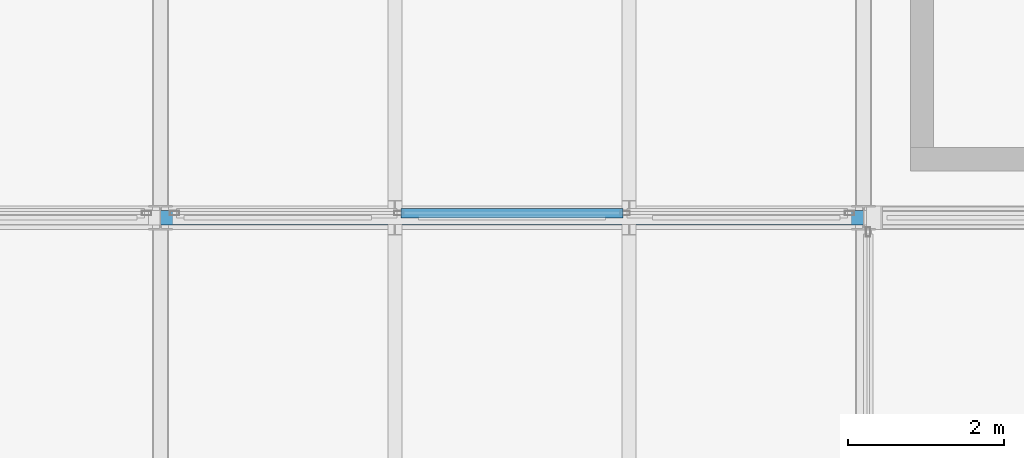
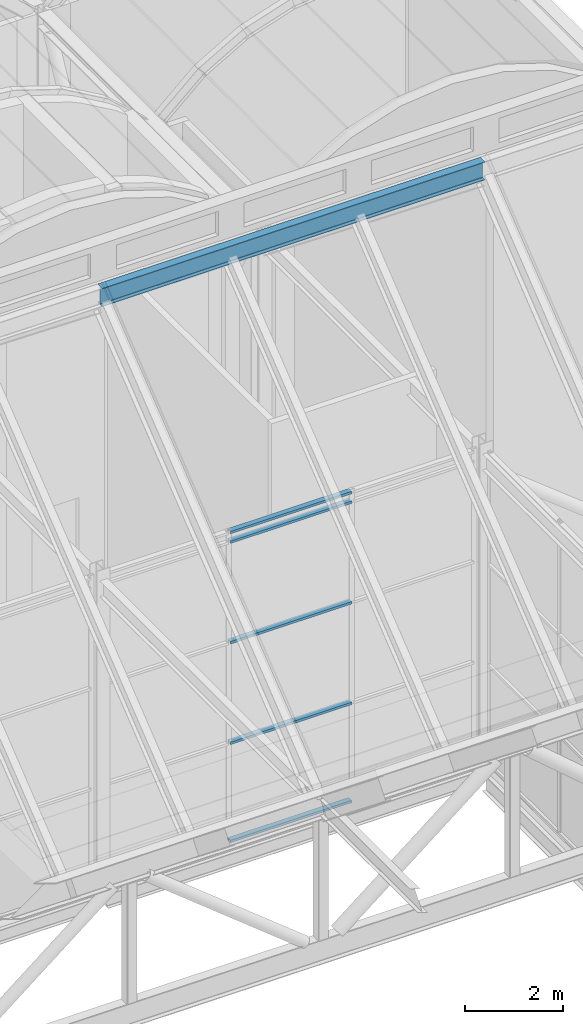
# One storey, part 89 of 144: 5 members, 1 beam, 1 element without a shape of its own.
"""IFC4 building model written with IfcOpenShell, lengths in metres."""

from ifc_helpers import new_model, si_unit, direction, frame, origin, origin_2d, place, context, subcontext, project, spatial, hollow_rectangle, i_section, extrude, material, layer, layer_set, material_profile, profile_set, type_object, element, aggregate, save


model = new_model("IFC4")

# Units and contexts
model_context = context("Model", 3, precision=1e-05, world=origin(), true_north=direction((0.0, 1.0)))
body_context = subcontext(model_context, "Body", "Model", "MODEL_VIEW")
ifc_project = project(units=[si_unit("LENGTHUNIT", "METRE"), si_unit("AREAUNIT", "SQUARE_METRE"), si_unit("VOLUMEUNIT", "CUBIC_METRE"), si_unit("PLANEANGLEUNIT", "RADIAN"), si_unit("MASSUNIT", "GRAM", prefix="KILO")], contexts=[model_context])

# Site, building, storey
site_placement = place(None, origin())
site = spatial("IfcSite", under=ifc_project, at=site_placement, CompositionType="ELEMENT")
building_placement = place(site_placement, origin())
building = spatial("IfcBuilding", under=site, at=building_placement, Name="Shorebreak Coast Museum", CompositionType="ELEMENT")
storey_placement = place(building_placement, frame((0.0, 0.0, 36.0)))
storey = spatial("IfcBuildingStorey", under=building, at=storey_placement, Name="L06", CompositionType="ELEMENT", Elevation=36.0)

# Beam
ifc_material_1 = material(Name="Steel Grade 300", Category="steel")
ifc_material_profile_1 = material_profile(ifc_material_1, i_section(OverallWidth=0.18994140625, OverallDepth=0.453857421875, WebThickness=0.008544921875, FlangeThickness=0.0126953125, FilletRadius=0.011474609375, at=origin_2d()), Name="460UB67.1")
ifc_profile_set_1 = profile_set([ifc_material_profile_1], Name="Steel Grade 300")
beam_type = type_object("IfcBeamType", Name="Fold ridge beam 460UB67.1", PredefinedType="BEAM", material=ifc_profile_set_1)
beam_placement = place(storey_placement, frame((99.0, 81.0, 14.717041015625), z_axis=(1.0, 0.0, 0.0), x_axis=(0.0, 1.0, 0.0)))
element("IfcBeam", 1, at=beam_placement, inside=storey, type_object=beam_type, Name="Fold ridge beam FOLD-X line K bay 12K", PredefinedType="BEAM", context=body_context, shape_type="SweptSolid", body=[
    extrude(i_section(OverallWidth=0.18994140625, OverallDepth=0.453857421875, WebThickness=0.008544921875, FlangeThickness=0.0126953125, FilletRadius=0.011474609375, at=origin_2d()), origin(), (0.0, 0.0, 1.0), 9.0),
])

# Curtain wall, members
ifc_material_2 = material(Name="Aluminium", Category="aluminium")
ifc_layer = layer(ifc_material_2, 0.1201171875)
ifc_layer_set = layer_set([ifc_layer], Name="Aluminium")
curtain_wall_type = type_object("IfcCurtainWallType", Name="Atrium fire screen", PredefinedType="NOTDEFINED", material=ifc_layer_set)
curtain_wall_placement = place(storey_placement, origin())
curtain_wall = element("IfcCurtainWall", 2, at=curtain_wall_placement, inside=storey, type_object=curtain_wall_type, Name="Atrium screen L06 N 88", PredefinedType="NOTDEFINED")
ifc_material_3 = material(Name="Aluminium", Category="aluminium")
ifc_material_profile_2 = material_profile(ifc_material_3, hollow_rectangle(XDim=0.1201171875, YDim=0.06005859375, WallThickness=0.00341796875, at=origin_2d()), Name="AL 60x120 RHS")
ifc_profile_set_2 = profile_set([ifc_material_profile_2], Name="Aluminium")
member_type = type_object("IfcMemberType", Name="Screen transom 120 x 50", PredefinedType="USERDEFINED", material=ifc_profile_set_2)
member_1_placement = place(storey_placement, frame((102.076171875, 81.06005859375, 0.06005859375), z_axis=(1.0, 0.0, 0.0), x_axis=(0.0, 1.0, 0.0)))
member_1 = element("IfcMember", 3, at=member_1_placement, type_object=member_type, Name="CW5 transom 2.1", ObjectType="TRANSOM", PredefinedType="USERDEFINED", context=body_context, shape_type="SweptSolid", body=[
    extrude(hollow_rectangle(XDim=0.1201171875, YDim=0.06005859375, WallThickness=0.00341796875, at=origin_2d()), origin(), (0.0, 0.0, 1.0), 2.84765625),
])
member_2_placement = place(storey_placement, frame((102.076171875, 81.06005859375, 2.5), z_axis=(1.0, 0.0, 0.0), x_axis=(0.0, 1.0, 0.0)))
member_2 = element("IfcMember", 4, at=member_2_placement, type_object=member_type, Name="CW5 transom 2.2", ObjectType="TRANSOM", PredefinedType="USERDEFINED", context=body_context, shape_type="SweptSolid", body=[
    extrude(hollow_rectangle(XDim=0.1201171875, YDim=0.06005859375, WallThickness=0.00341796875, at=origin_2d()), origin(), (0.0, 0.0, 1.0), 2.84765625),
])
member_3_placement = place(storey_placement, frame((102.076171875, 81.06005859375, 5.0), z_axis=(1.0, 0.0, 0.0), x_axis=(0.0, 1.0, 0.0)))
member_3 = element("IfcMember", 5, at=member_3_placement, type_object=member_type, Name="CW5 transom 2.3", ObjectType="TRANSOM", PredefinedType="USERDEFINED", context=body_context, shape_type="SweptSolid", body=[
    extrude(hollow_rectangle(XDim=0.1201171875, YDim=0.06005859375, WallThickness=0.00341796875, at=origin_2d()), origin(), (0.0, 0.0, 1.0), 2.84765625),
])
member_4_placement = place(storey_placement, frame((102.076171875, 81.06005859375, 7.5), z_axis=(1.0, 0.0, 0.0), x_axis=(0.0, 1.0, 0.0)))
member_4 = element("IfcMember", 6, at=member_4_placement, type_object=member_type, Name="CW5 transom 2.4", ObjectType="TRANSOM", PredefinedType="USERDEFINED", context=body_context, shape_type="SweptSolid", body=[
    extrude(hollow_rectangle(XDim=0.1201171875, YDim=0.06005859375, WallThickness=0.00341796875, at=origin_2d()), origin(), (0.0, 0.0, 1.0), 2.84765625),
])
member_5_placement = place(storey_placement, frame((102.076171875, 81.06005859375, 7.739990234375), z_axis=(1.0, 0.0, 0.0), x_axis=(0.0, 1.0, 0.0)))
member_5 = element("IfcMember", 7, at=member_5_placement, type_object=member_type, Name="CW5 transom 2.5", ObjectType="TRANSOM", PredefinedType="USERDEFINED", context=body_context, shape_type="SweptSolid", body=[
    extrude(hollow_rectangle(XDim=0.1201171875, YDim=0.06005859375, WallThickness=0.00341796875, at=origin_2d()), origin(), (0.0, 0.0, 1.0), 2.84765625),
])
aggregate(curtain_wall, [member_1, member_2, member_3, member_4, member_5])

save(model, "model.ifc")
